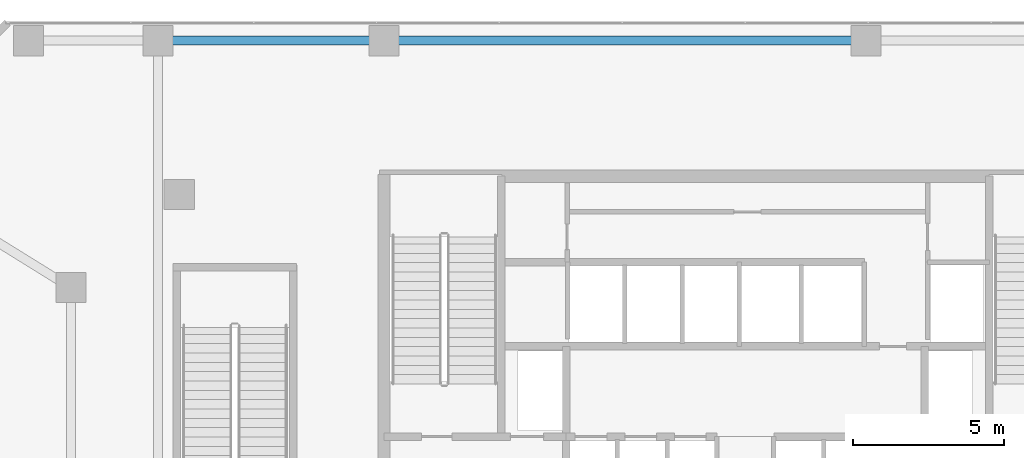
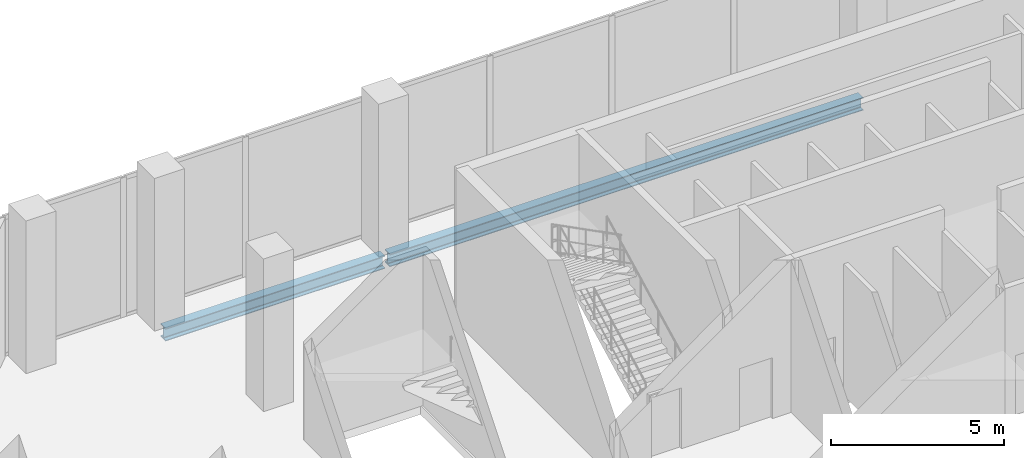
# One storey, part 13 of 24: 2 beams.
"""IFC4 building model written with IfcOpenShell, lengths in metres."""

from ifc_helpers import new_model, si_unit, direction, frame, origin, origin_2d, place, context, subcontext, project, spatial, i_section, extrude, material, material_profile, profile_set, type_object, element, save


model = new_model("IFC4")

# Units and contexts
model_context = context("Model", 3, precision=1e-05, world=origin(), true_north=direction((0.0, 1.0)))
body_context = subcontext(model_context, "Body", "Model", "MODEL_VIEW")
ifc_project = project(units=[si_unit("LENGTHUNIT", "METRE"), si_unit("AREAUNIT", "SQUARE_METRE"), si_unit("VOLUMEUNIT", "CUBIC_METRE"), si_unit("PLANEANGLEUNIT", "RADIAN"), si_unit("MASSUNIT", "GRAM", prefix="KILO")], contexts=[model_context])

# Site, building, storey
site_placement = place(None, origin())
site = spatial("IfcSite", under=ifc_project, at=site_placement, CompositionType="ELEMENT")
building_placement = place(site_placement, origin())
building = spatial("IfcBuilding", under=site, at=building_placement, Name="Catumbela Crestline Tower", CompositionType="ELEMENT")
storey_placement = place(building_placement, frame((0.0, 0.0, 15.9)))
storey = spatial("IfcBuildingStorey", under=building, at=storey_placement, Name="L03", CompositionType="ELEMENT", Elevation=15.9)

# Beams
ifc_material = material(Name="Structural steel S355J2", Category="steel")
ifc_material_profile = material_profile(ifc_material, i_section(OverallWidth=0.3, OverallDepth=0.45, WebThickness=0.014, FlangeThickness=0.026, FilletRadius=0.027, at=origin_2d()), Name="HEB 450")
ifc_profile_set = profile_set([ifc_material_profile], Name="Structural steel S355J2")
beam_type = type_object("IfcBeamType", Name="BS-HEB450", PredefinedType="SPANDREL", material=ifc_profile_set)
beam_1_placement = place(storey_placement, frame((8.58, 47.4, -0.545), z_axis=(1.0, 0.0, 0.0), x_axis=(0.0, 1.0, 0.0)))
element("IfcBeam", 1, at=beam_1_placement, inside=storey, type_object=beam_type, Name="L03 Spandrel SP-L03-NF18", PredefinedType="SPANDREL", context=body_context, shape_type="SweptSolid", body=[
    extrude(i_section(OverallWidth=0.3, OverallDepth=0.45, WebThickness=0.014, FlangeThickness=0.026, FilletRadius=0.027, at=origin_2d()), origin(), (0.0, 0.0, 1.0), 7.34),
])
beam_2_placement = place(storey_placement, frame((16.08, 47.4, -0.545), z_axis=(1.0, 0.0, 0.0), x_axis=(0.0, 1.0, 0.0)))
element("IfcBeam", 2, at=beam_2_placement, inside=storey, type_object=beam_type, Name="L03 Spandrel SP-L03-NF19", PredefinedType="SPANDREL", context=body_context, shape_type="SweptSolid", body=[
    extrude(i_section(OverallWidth=0.3, OverallDepth=0.45, WebThickness=0.014, FlangeThickness=0.026, FilletRadius=0.027, at=origin_2d()), origin(), (0.0, 0.0, 1.0), 15.84),
])

save(model, "model.ifc")
